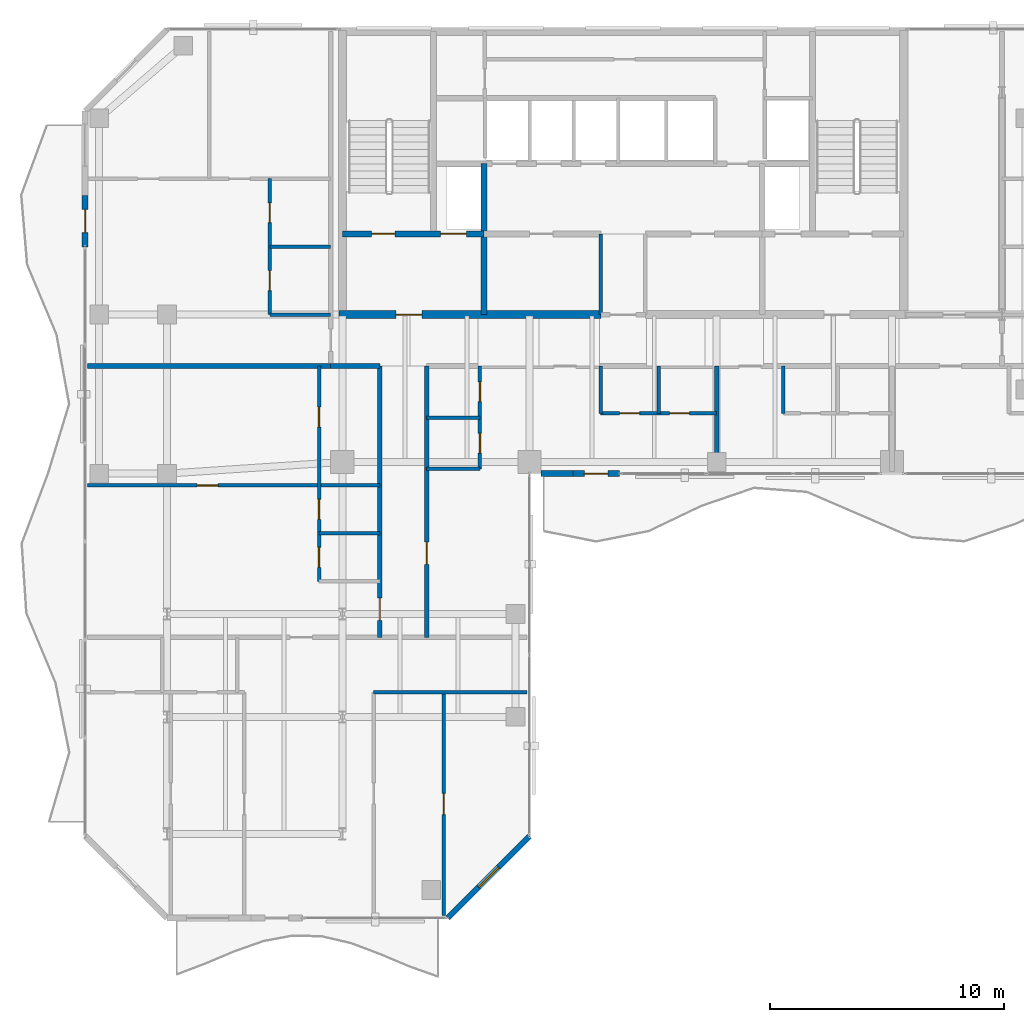
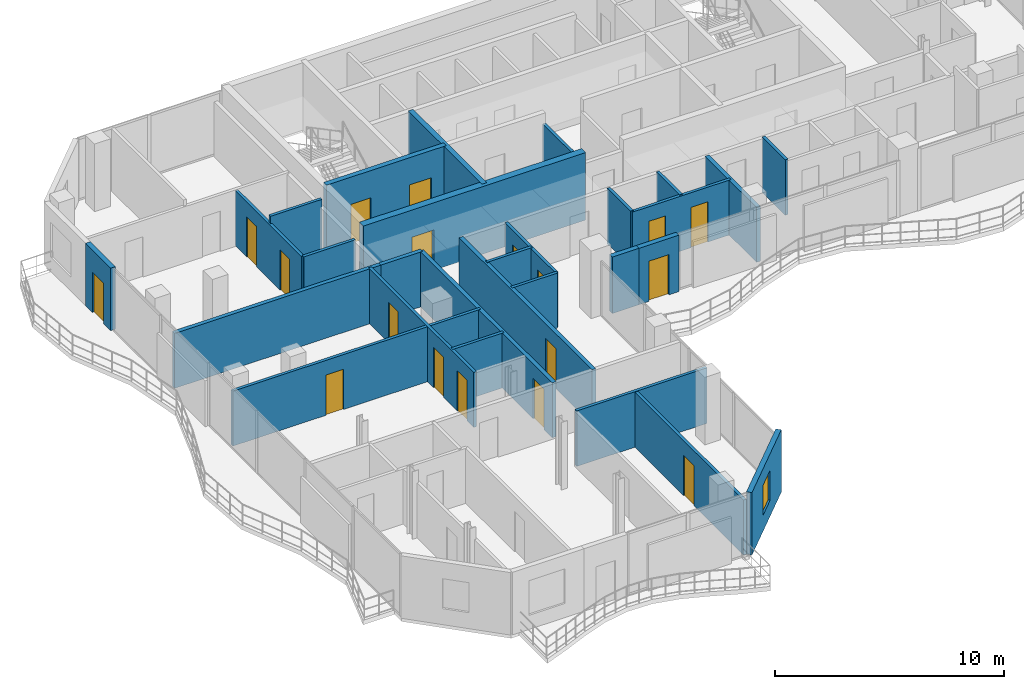
# One storey, part 18 of 24: 28 walls, 18 doors, 1 window, 19 openings.
"""IFC4 building model written with IfcOpenShell, lengths in metres."""

from ifc_helpers import new_model, si_unit, direction, frame, frame_2d, origin, place, context, subcontext, project, spatial, rectangle, extrude, material, layer, layer_set, type_object, element, fill, save


model = new_model("IFC4")

# Units and contexts
model_context = context("Model", 3, precision=1e-05, world=origin(), true_north=direction((0.0, 1.0)))
body_context = subcontext(model_context, "Body", "Model", "MODEL_VIEW")
ifc_project = project(units=[si_unit("LENGTHUNIT", "METRE"), si_unit("AREAUNIT", "SQUARE_METRE"), si_unit("VOLUMEUNIT", "CUBIC_METRE"), si_unit("PLANEANGLEUNIT", "RADIAN"), si_unit("MASSUNIT", "GRAM", prefix="KILO")], contexts=[model_context])

# Site, building, storey
site_placement = place(None, origin())
site = spatial("IfcSite", under=ifc_project, at=site_placement, CompositionType="ELEMENT")
building_placement = place(site_placement, origin())
building = spatial("IfcBuilding", under=site, at=building_placement, Name="Catumbela Crestline Tower", CompositionType="ELEMENT")
storey_placement = place(building_placement, frame((0.0, 0.0, 157.8)))
storey = spatial("IfcBuildingStorey", under=building, at=storey_placement, Name="L40", CompositionType="ELEMENT", Elevation=157.8)

# Wall
ifc_material_1 = material(Name="Concrete C50/60", Category="concrete")
ifc_layer_1 = layer(ifc_material_1, 0.25, Name="Concrete C50/60")
ifc_layer_set_1 = layer_set([ifc_layer_1], Name="Concrete C50/60")
wall_type_1 = type_object("IfcWallType", Name="CW-250D", PredefinedType="SHEAR", material=ifc_layer_set_1)
wall_1_placement = place(storey_placement, frame((22.05, 30.8, 0.0), z_axis=(0.0, 0.0, 1.0), x_axis=(0.0, 1.0, 0.0)))
element("IfcWall", 1, at=wall_1_placement, inside=storey, type_object=wall_type_1, Name="L40 Structural Core Shear Wall FFW", PredefinedType="SHEAR", context=body_context, shape_type="SweptSolid", body=[
    extrude(rectangle(XDim=6.45, YDim=0.25, at=frame_2d((3.225, 0.0))), origin(), (0.0, 0.0, 1.0), 3.6),
])

# Wall, openings, doors
wall_2_placement = place(storey_placement, frame((16.0, 34.25, 0.0), z_axis=(0.0, 0.0, 1.0), x_axis=(1.0, 0.0, 0.0)))
wall_2 = element("IfcWall", 2, at=wall_2_placement, inside=storey, type_object=wall_type_1, Name="L40 Structural Core Shear Wall ST1S", PredefinedType="SHEAR", context=body_context, shape_type="SweptSolid", body=[
    extrude(rectangle(XDim=6.05, YDim=0.25, at=frame_2d((3.025, 0.0))), origin(), (0.0, 0.0, 1.0), 3.6),
])
opening_1_placement = place(wall_2_placement, frame((1.25, 0.0, 0.0)))
opening_1 = element("IfcOpeningElement", 3, at=opening_1_placement, cuts=wall_2, Name="Opening DF9-100", PredefinedType="OPENING", context=body_context, shape_type="SweptSolid", body=[
    extrude(rectangle(XDim=1.0, YDim=2.15, at=frame_2d((0.5, 1.075))), frame((0.0, 0.135, 0.0), z_axis=(0.0, -1.0, 0.0), x_axis=(1.0, 0.0, 0.0)), (0.0, 0.0, 1.0), 0.27),
])
opening_2_placement = place(wall_2_placement, frame((4.2, 0.0, 0.0)))
opening_2 = element("IfcOpeningElement", 4, at=opening_2_placement, cuts=wall_2, Name="Opening LD-110", PredefinedType="OPENING", context=body_context, shape_type="SweptSolid", body=[
    extrude(rectangle(XDim=1.1, YDim=2.15, at=frame_2d((0.55, 1.075))), frame((0.0, 0.135, 0.0), z_axis=(0.0, -1.0, 0.0), x_axis=(1.0, 0.0, 0.0)), (0.0, 0.0, 1.0), 0.27),
])
ifc_material_2 = material(Name="Stainless steel EN 1.4401", Category="steel")
door_type_1 = type_object("IfcDoorType", Name="DF9-100", OperationType="NOTDEFINED", PredefinedType="DOOR", material=ifc_material_2)
door_1_placement = place(opening_1_placement, origin())
door_1 = element("IfcDoor", 5, at=door_1_placement, inside=storey, type_object=door_type_1, Name="L40 Interior Door DR-L40-ST01", OperationType="SINGLE_SWING_LEFT", OverallHeight=2.15, OverallWidth=1.0, PredefinedType="DOOR", context=body_context, shape_type="SweptSolid", body=[
    extrude(rectangle(XDim=1.0, YDim=2.15, at=frame_2d((0.5, 1.075))), frame((0.0, 0.025, 0.0), z_axis=(0.0, -1.0, 0.0), x_axis=(1.0, 0.0, 0.0)), (0.0, 0.0, 1.0), 0.05),
])
fill(opening_1, door_1)
door_type_2 = type_object("IfcDoorType", Name="LD-110", OperationType="NOTDEFINED", PredefinedType="DOOR", material=ifc_material_2)
door_2_placement = place(opening_2_placement, origin())
door_2 = element("IfcDoor", 6, at=door_2_placement, inside=storey, type_object=door_type_2, Name="L40 Lift Landing Sliding Door FL-01", OperationType="DOUBLE_DOOR_SLIDING", OverallHeight=2.15, OverallWidth=1.1, PredefinedType="DOOR", context=body_context, shape_type="SweptSolid", body=[
    extrude(rectangle(XDim=1.1, YDim=2.15, at=frame_2d((0.55, 1.075))), frame((0.0, 0.025, 0.0), z_axis=(0.0, -1.0, 0.0), x_axis=(1.0, 0.0, 0.0)), (0.0, 0.0, 1.0), 0.05),
])
fill(opening_2, door_2)

# Wall, opening, door
ifc_layer_2 = layer(ifc_material_1, 0.35, Name="Concrete C50/60")
ifc_layer_set_2 = layer_set([ifc_layer_2], Name="Concrete C50/60")
wall_type_2 = type_object("IfcWallType", Name="CW-350B", PredefinedType="SHEAR", material=ifc_layer_set_2)
wall_3_placement = place(storey_placement, frame((15.85, 30.8, 0.0), z_axis=(0.0, 0.0, 1.0), x_axis=(1.0, 0.0, 0.0)))
wall_3 = element("IfcWall", 7, at=wall_3_placement, inside=storey, type_object=wall_type_2, Name="L40 Structural Core Shear Wall SW", PredefinedType="SHEAR", context=body_context, shape_type="SweptSolid", body=[
    extrude(rectangle(XDim=11.2, YDim=0.35, at=frame_2d((5.6, 0.0))), origin(), (0.0, 0.0, 1.0), 3.6),
])
opening_3_placement = place(wall_3_placement, frame((2.45, 0.0, 0.0)))
opening_3 = element("IfcOpeningElement", 8, at=opening_3_placement, cuts=wall_3, Name="Opening DF9-110", PredefinedType="OPENING", context=body_context, shape_type="SweptSolid", body=[
    extrude(rectangle(XDim=1.1, YDim=2.15, at=frame_2d((0.55, 1.075))), frame((0.0, 0.185, 0.0), z_axis=(0.0, -1.0, 0.0), x_axis=(1.0, 0.0, 0.0)), (0.0, 0.0, 1.0), 0.37),
])
door_type_3 = type_object("IfcDoorType", Name="DF9-110", OperationType="NOTDEFINED", PredefinedType="DOOR", material=ifc_material_2)
door_3_placement = place(opening_3_placement, origin())
door_3 = element("IfcDoor", 9, at=door_3_placement, inside=storey, type_object=door_type_3, Name="L40 Interior Door DR-L40-FFW-S", OperationType="SINGLE_SWING_LEFT", OverallHeight=2.15, OverallWidth=1.1, PredefinedType="DOOR", context=body_context, shape_type="SweptSolid", body=[
    extrude(rectangle(XDim=1.1, YDim=2.15, at=frame_2d((0.55, 1.075))), frame((0.0, 0.025, 0.0), z_axis=(0.0, -1.0, 0.0), x_axis=(1.0, 0.0, 0.0)), (0.0, 0.0, 1.0), 0.05),
])
fill(opening_3, door_3)

# Wall
ifc_material_3 = material(Name="Acoustic gypsum and mineral-wool partition")
ifc_layer_3 = layer(ifc_material_3, 0.2, Name="Acoustic gypsum and mineral-wool partition")
ifc_layer_set_3 = layer_set([ifc_layer_3], Name="Acoustic gypsum and mineral-wool partition")
wall_type_3 = type_object("IfcWallType", Name="WC-200", PredefinedType="PARTITIONING", material=ifc_layer_set_3)
wall_4_placement = place(storey_placement, frame((15.5, 28.6, 0.0), z_axis=(0.0, 0.0, 1.0), x_axis=(1.0, 0.0, 0.0)))
element("IfcWall", 10, at=wall_4_placement, inside=storey, type_object=wall_type_3, Name="L40 Interior Partition PW-L40-RCWL", PredefinedType="PARTITIONING", context=body_context, shape_type="SweptSolid", body=[
    extrude(rectangle(XDim=2.1, YDim=0.2, at=frame_2d((1.05, 0.0))), origin(), (0.0, 0.0, 1.0), 2.93),
])

# Wall, opening, door
wall_5_placement = place(storey_placement, frame((17.6, 17.0, 0.0), z_axis=(0.0, 0.0, 1.0), x_axis=(0.0, 1.0, 0.0)))
wall_5 = element("IfcWall", 11, at=wall_5_placement, inside=storey, type_object=wall_type_3, Name="L40 Interior Partition PW-L40-WL1-ENT", PredefinedType="PARTITIONING", context=body_context, shape_type="SweptSolid", body=[
    extrude(rectangle(XDim=11.6, YDim=0.2, at=frame_2d((5.8, 0.0))), origin(), (0.0, 0.0, 1.0), 2.93),
])
opening_4_placement = place(wall_5_placement, frame((0.723, 0.0, 0.0)))
opening_4 = element("IfcOpeningElement", 12, at=opening_4_placement, cuts=wall_5, Name="Opening DF6-095", PredefinedType="OPENING", context=body_context, shape_type="SweptSolid", body=[
    extrude(rectangle(XDim=0.95, YDim=2.15, at=frame_2d((0.475, 1.075))), frame((0.0, 0.11, 0.0), z_axis=(0.0, -1.0, 0.0), x_axis=(1.0, 0.0, 0.0)), (0.0, 0.0, 1.0), 0.22),
])
ifc_material_4 = material(Name="Aluminium alloy AW-6060-T66", Category="aluminium")
door_type_4 = type_object("IfcDoorType", Name="DF6-095", OperationType="NOTDEFINED", PredefinedType="DOOR", material=ifc_material_4)
door_4_placement = place(opening_4_placement, origin())
door_4 = element("IfcDoor", 13, at=door_4_placement, inside=storey, type_object=door_type_4, Name="L40 Interior Door DR-L40-WL1-ENT", OperationType="SINGLE_SWING_RIGHT", OverallHeight=2.15, OverallWidth=0.95, PredefinedType="DOOR", context=body_context, shape_type="SweptSolid", body=[
    extrude(rectangle(XDim=0.95, YDim=2.15, at=frame_2d((0.475, 1.075))), frame((0.0, 0.025, 0.0), z_axis=(0.0, -1.0, 0.0), x_axis=(1.0, 0.0, 0.0)), (0.0, 0.0, 1.0), 0.05),
])
fill(opening_4, door_4)

wall_6_placement = place(storey_placement, frame((19.6, 17.0, 0.0), z_axis=(0.0, 0.0, 1.0), x_axis=(0.0, 1.0, 0.0)))
wall_6 = element("IfcWall", 14, at=wall_6_placement, inside=storey, type_object=wall_type_3, Name="L40 Interior Partition PW-L40-WR1-ENT", PredefinedType="PARTITIONING", context=body_context, shape_type="SweptSolid", body=[
    extrude(rectangle(XDim=11.6, YDim=0.2, at=frame_2d((5.8, 0.0))), origin(), (0.0, 0.0, 1.0), 2.93),
])
opening_5_placement = place(wall_6_placement, frame((3.125, 0.0, 0.0)))
opening_5 = element("IfcOpeningElement", 15, at=opening_5_placement, cuts=wall_6, Name="Opening DF6-095", PredefinedType="OPENING", context=body_context, shape_type="SweptSolid", body=[
    extrude(rectangle(XDim=0.95, YDim=2.15, at=frame_2d((0.475, 1.075))), frame((0.0, 0.11, 0.0), z_axis=(0.0, -1.0, 0.0), x_axis=(1.0, 0.0, 0.0)), (0.0, 0.0, 1.0), 0.22),
])
door_5_placement = place(opening_5_placement, origin())
door_5 = element("IfcDoor", 16, at=door_5_placement, inside=storey, type_object=door_type_4, Name="L40 Interior Door DR-L40-WR1-ENT", OperationType="SINGLE_SWING_LEFT", OverallHeight=2.15, OverallWidth=0.95, PredefinedType="DOOR", context=body_context, shape_type="SweptSolid", body=[
    extrude(rectangle(XDim=0.95, YDim=2.15, at=frame_2d((0.475, 1.075))), frame((0.0, 0.025, 0.0), z_axis=(0.0, -1.0, 0.0), x_axis=(1.0, 0.0, 0.0)), (0.0, 0.0, 1.0), 0.05),
])
fill(opening_5, door_5)

# Wall, opening, window
ifc_material_5 = material(Name="Angolan grey-ochre granite", Category="masonry")
ifc_layer_4 = layer(ifc_material_5, 0.25, Name="Angolan grey-ochre granite")
ifc_layer_set_4 = layer_set([ifc_layer_4], Name="Angolan grey-ochre granite")
wall_type_4 = type_object("IfcWallType", Name="WE-250", PredefinedType="STANDARD", material=ifc_layer_set_4)
wall_7_placement = place(storey_placement, frame((20.5, 5.0, 0.0), z_axis=(0.0, 0.0, 1.0), x_axis=(0.707106781187, 0.707106781187, 0.0)))
wall_7 = element("IfcWall", 17, at=wall_7_placement, inside=storey, type_object=wall_type_4, Name="L40 Granite Punched Window Wall 1-1", PredefinedType="STANDARD", context=body_context, shape_type="SweptSolid", body=[
    extrude(rectangle(XDim=4.9497, YDim=0.25, at=frame_2d((2.4748, 0.0))), origin(), (0.0, 0.0, 1.0), 3.33),
])
opening_6_placement = place(wall_7_placement, frame((1.8748, 0.0, 0.85)))
opening_6 = element("IfcOpeningElement", 18, at=opening_6_placement, cuts=wall_7, Name="Opening WN-02", PredefinedType="OPENING", context=body_context, shape_type="SweptSolid", body=[
    extrude(rectangle(XDim=1.2, YDim=1.6, at=frame_2d((0.6, 0.8))), frame((0.0, 0.135, 0.0), z_axis=(0.0, -1.0, 0.0), x_axis=(1.0, 0.0, 0.0)), (0.0, 0.0, 1.0), 0.27),
])
ifc_material_6 = material(Name="Low-E laminated solar-control double glazing", Category="glass")
window_type = type_object("IfcWindowType", Name="WO-1200", PartitioningType="SINGLE_PANEL", PredefinedType="WINDOW", material=ifc_material_6)
window_placement = place(opening_6_placement, origin())
window = element("IfcWindow", 19, at=window_placement, inside=storey, type_object=window_type, Name="L40 Facade Vision Window 226", OverallHeight=1.6, OverallWidth=1.2, PartitioningType="SINGLE_PANEL", PredefinedType="WINDOW", context=body_context, shape_type="SweptSolid", body=[
    extrude(rectangle(XDim=1.2, YDim=1.6, at=frame_2d((0.6, 0.8))), frame((0.0, 0.03, 0.0), z_axis=(0.0, -1.0, 0.0), x_axis=(1.0, 0.0, 0.0)), (0.0, 0.0, 1.0), 0.06),
])
fill(opening_6, window)

# Wall, opening, door
wall_8_placement = place(storey_placement, frame((25.85, 24.0, 0.0), z_axis=(0.0, 0.0, 1.0), x_axis=(1.0, 0.0, 0.0)))
wall_8 = element("IfcWall", 20, at=wall_8_placement, inside=storey, type_object=wall_type_4, Name="L40 Exterior Threshold Portal Wall DR-L40-WBAL-1", PredefinedType="STANDARD", context=body_context, shape_type="SweptSolid", body=[
    extrude(rectangle(XDim=2.0, YDim=0.25, at=frame_2d((1.0, 0.0))), origin(), (0.0, 0.0, 1.0), 3.01),
])
opening_7_placement = place(wall_8_placement, frame((0.5, 0.0, 0.0)))
opening_7 = element("IfcOpeningElement", 21, at=opening_7_placement, cuts=wall_8, Name="Opening DB-L40-1", PredefinedType="OPENING", context=body_context, shape_type="SweptSolid", body=[
    extrude(rectangle(XDim=1.0, YDim=2.15, at=frame_2d((0.5, 1.075))), frame((0.0, 0.135, 0.0), z_axis=(0.0, -1.0, 0.0), x_axis=(1.0, 0.0, 0.0)), (0.0, 0.0, 1.0), 0.27),
])
door_type_5 = type_object("IfcDoorType", Name="DB-1000", OperationType="NOTDEFINED", PredefinedType="DOOR", material=ifc_material_4)
door_6_placement = place(opening_7_placement, origin())
door_6 = element("IfcDoor", 22, at=door_6_placement, inside=storey, type_object=door_type_5, Name="L40 Wave Balcony Terrace Door 1", OperationType="SINGLE_SWING_RIGHT", OverallHeight=2.15, OverallWidth=1.0, PredefinedType="DOOR", context=body_context, shape_type="SweptSolid", body=[
    extrude(rectangle(XDim=1.0, YDim=2.15, at=frame_2d((0.5, 1.075))), frame((0.0, 0.025, 0.0), z_axis=(0.0, -1.0, 0.0), x_axis=(1.0, 0.0, 0.0)), (0.0, 0.0, 1.0), 0.05),
])
fill(opening_7, door_6)

# Wall
wall_9_placement = place(storey_placement, frame((24.5, 24.0, 0.0), z_axis=(0.0, 0.0, 1.0), x_axis=(1.0, 0.0, 0.0)))
element("IfcWall", 23, at=wall_9_placement, inside=storey, type_object=wall_type_4, Name="L40 Granite Punched Window Wall 3-1", PredefinedType="STANDARD", context=body_context, shape_type="SweptSolid", body=[
    extrude(rectangle(XDim=1.35, YDim=0.25, at=frame_2d((0.675, 0.0))), origin(), (0.0, 0.0, 1.0), 3.01),
])

# Wall, opening, door
wall_10_placement = place(storey_placement, frame((5.0, 35.9, 0.0), z_axis=(0.0, 0.0, 1.0), x_axis=(0.0, -1.0, 0.0)))
wall_10 = element("IfcWall", 24, at=wall_10_placement, inside=storey, type_object=wall_type_4, Name="L40 Exterior Threshold Portal Wall DR-L40-WBAL-4", PredefinedType="STANDARD", context=body_context, shape_type="SweptSolid", body=[
    extrude(rectangle(XDim=2.2, YDim=0.25, at=frame_2d((1.1, 0.0))), origin(), (0.0, 0.0, 1.0), 3.33),
])
opening_8_placement = place(wall_10_placement, frame((0.6, 0.0, 0.0)))
opening_8 = element("IfcOpeningElement", 25, at=opening_8_placement, cuts=wall_10, Name="Opening DB-L40-4", PredefinedType="OPENING", context=body_context, shape_type="SweptSolid", body=[
    extrude(rectangle(XDim=1.0, YDim=2.15, at=frame_2d((0.5, 1.075))), frame((0.0, 0.135, 0.0), z_axis=(0.0, -1.0, 0.0), x_axis=(1.0, 0.0, 0.0)), (0.0, 0.0, 1.0), 0.27),
])
door_7_placement = place(opening_8_placement, origin())
door_7 = element("IfcDoor", 26, at=door_7_placement, inside=storey, type_object=door_type_5, Name="L40 Wave Balcony Terrace Door 4", OperationType="SINGLE_SWING_LEFT", OverallHeight=2.15, OverallWidth=1.0, PredefinedType="DOOR", context=body_context, shape_type="SweptSolid", body=[
    extrude(rectangle(XDim=1.0, YDim=2.15, at=frame_2d((0.5, 1.075))), frame((0.0, 0.025, 0.0), z_axis=(0.0, -1.0, 0.0), x_axis=(1.0, 0.0, 0.0)), (0.0, 0.0, 1.0), 0.05),
])
fill(opening_8, door_7)

# Walls
ifc_layer_5 = layer(ifc_material_3, 0.15, Name="Acoustic gypsum and mineral-wool partition")
ifc_layer_set_5 = layer_set([ifc_layer_5], Name="Acoustic gypsum and mineral-wool partition")
wall_type_5 = type_object("IfcWallType", Name="WP-150", PredefinedType="PARTITIONING", material=ifc_layer_set_5)
wall_11_placement = place(storey_placement, frame((12.9, 30.8, 0.0), z_axis=(0.0, 0.0, 1.0), x_axis=(1.0, 0.0, 0.0)))
element("IfcWall", 27, at=wall_11_placement, inside=storey, type_object=wall_type_5, Name="L40 Interior Partition PW-L40-NW1-KBS", PredefinedType="PARTITIONING", context=body_context, shape_type="SweptSolid", body=[
    extrude(rectangle(XDim=2.6, YDim=0.15, at=frame_2d((1.3, 0.0))), origin(), (0.0, 0.0, 1.0), 2.93),
])
wall_12_placement = place(storey_placement, frame((12.9, 33.704, 0.0), z_axis=(0.0, 0.0, 1.0), x_axis=(1.0, 0.0, 0.0)))
element("IfcWall", 28, at=wall_12_placement, inside=storey, type_object=wall_type_5, Name="L40 Interior Partition PW-L40-NW1-KBM", PredefinedType="PARTITIONING", context=body_context, shape_type="SweptSolid", body=[
    extrude(rectangle(XDim=2.6, YDim=0.15, at=frame_2d((1.3, 0.0))), origin(), (0.0, 0.0, 1.0), 3.33),
])

# Wall, openings, doors
wall_13_placement = place(storey_placement, frame((12.9, 30.8, 0.0), z_axis=(0.0, 0.0, 1.0), x_axis=(0.0, 1.0, 0.0)))
wall_13 = element("IfcWall", 29, at=wall_13_placement, inside=storey, type_object=wall_type_5, Name="L40 Interior Partition PW-L40-NW1-LK", PredefinedType="PARTITIONING", context=body_context, shape_type="SweptSolid", body=[
    extrude(rectangle(XDim=5.808, YDim=0.15, at=frame_2d((2.904, 0.0))), origin(), (0.0, 0.0, 1.0), 2.93),
])
opening_9_placement = place(wall_13_placement, frame((1.027, 0.0, 0.0)))
opening_9 = element("IfcOpeningElement", 30, at=opening_9_placement, cuts=wall_13, Name="Opening DI-085", PredefinedType="OPENING", context=body_context, shape_type="SweptSolid", body=[
    extrude(rectangle(XDim=0.85, YDim=2.15, at=frame_2d((0.425, 1.075))), frame((0.0, 0.085, 0.0), z_axis=(0.0, -1.0, 0.0), x_axis=(1.0, 0.0, 0.0)), (0.0, 0.0, 1.0), 0.17),
])
opening_10_placement = place(wall_13_placement, frame((3.931, 0.0, 0.0)))
opening_10 = element("IfcOpeningElement", 31, at=opening_10_placement, cuts=wall_13, Name="Opening DI-085", PredefinedType="OPENING", context=body_context, shape_type="SweptSolid", body=[
    extrude(rectangle(XDim=0.85, YDim=2.15, at=frame_2d((0.425, 1.075))), frame((0.0, 0.085, 0.0), z_axis=(0.0, -1.0, 0.0), x_axis=(1.0, 0.0, 0.0)), (0.0, 0.0, 1.0), 0.17),
])
door_type_6 = type_object("IfcDoorType", Name="DI-085", OperationType="NOTDEFINED", PredefinedType="DOOR", material=ifc_material_4)
door_8_placement = place(opening_9_placement, origin())
door_8 = element("IfcDoor", 32, at=door_8_placement, inside=storey, type_object=door_type_6, Name="L40 Interior Door DR-L40-NW1-KIT", OperationType="SINGLE_SWING_LEFT", OverallHeight=2.15, OverallWidth=0.85, PredefinedType="DOOR", context=body_context, shape_type="SweptSolid", body=[
    extrude(rectangle(XDim=0.85, YDim=2.15, at=frame_2d((0.425, 1.075))), frame((0.0, 0.025, 0.0), z_axis=(0.0, -1.0, 0.0), x_axis=(1.0, 0.0, 0.0)), (0.0, 0.0, 1.0), 0.05),
])
fill(opening_9, door_8)
door_9_placement = place(opening_10_placement, origin())
door_9 = element("IfcDoor", 33, at=door_9_placement, inside=storey, type_object=door_type_6, Name="L40 Interior Door DR-L40-NW1-BTH", OperationType="SINGLE_SWING_RIGHT", OverallHeight=2.15, OverallWidth=0.85, PredefinedType="DOOR", context=body_context, shape_type="SweptSolid", body=[
    extrude(rectangle(XDim=0.85, YDim=2.15, at=frame_2d((0.425, 1.075))), frame((0.0, 0.025, 0.0), z_axis=(0.0, -1.0, 0.0), x_axis=(1.0, 0.0, 0.0)), (0.0, 0.0, 1.0), 0.05),
])
fill(opening_10, door_9)

# Walls
for number, where, z_axis, x_axis, name in (
    (34, (27.04, 26.576, 0.0), (0.0, 0.0, 1.0), (0.0, 1.0, 0.0), "L40 Interior Partition PW-L40-S1-KBW"),
    (35, (29.52, 26.576, 0.0), (0.0, 0.0, 1.0), (0.0, 1.0, 0.0), "L40 Interior Partition PW-L40-S1-KBM"),
):
    element("IfcWall", number, at=place(storey_placement, frame(where, z_axis=z_axis, x_axis=x_axis)), inside=storey, type_object=wall_type_5, Name=name, PredefinedType="PARTITIONING", context=body_context, shape_type="SweptSolid", body=[
        extrude(rectangle(XDim=2.024, YDim=0.15, at=frame_2d((1.012, 0.0))), origin(), (0.0, 0.0, 1.0), 2.96),
    ])

# Wall, openings, doors
wall_14_placement = place(storey_placement, frame((27.04, 26.576, 0.0), z_axis=(0.0, 0.0, 1.0), x_axis=(1.0, 0.0, 0.0)))
wall_14 = element("IfcWall", 36, at=wall_14_placement, inside=storey, type_object=wall_type_5, Name="L40 Interior Partition PW-L40-S1-KBD1", PredefinedType="PARTITIONING", context=body_context, shape_type="SweptSolid", body=[
    extrude(rectangle(XDim=4.96, YDim=0.15, at=frame_2d((2.48, 0.0))), origin(), (0.0, 0.0, 1.0), 2.93),
])
opening_11_placement = place(wall_14_placement, frame((0.815, 0.0, 0.0)))
opening_11 = element("IfcOpeningElement", 37, at=opening_11_placement, cuts=wall_14, Name="Opening DI-085", PredefinedType="OPENING", context=body_context, shape_type="SweptSolid", body=[
    extrude(rectangle(XDim=0.85, YDim=2.15, at=frame_2d((0.425, 1.075))), frame((0.0, 0.085, 0.0), z_axis=(0.0, -1.0, 0.0), x_axis=(1.0, 0.0, 0.0)), (0.0, 0.0, 1.0), 0.17),
])
opening_12_placement = place(wall_14_placement, frame((2.9475, 0.0, 0.0)))
opening_12 = element("IfcOpeningElement", 38, at=opening_12_placement, cuts=wall_14, Name="Opening DI-085", PredefinedType="OPENING", context=body_context, shape_type="SweptSolid", body=[
    extrude(rectangle(XDim=0.85, YDim=2.15, at=frame_2d((0.425, 1.075))), frame((0.0, 0.085, 0.0), z_axis=(0.0, -1.0, 0.0), x_axis=(1.0, 0.0, 0.0)), (0.0, 0.0, 1.0), 0.17),
])
door_10_placement = place(opening_11_placement, origin())
door_10 = element("IfcDoor", 39, at=door_10_placement, inside=storey, type_object=door_type_6, Name="L40 Interior Door DR-L40-S1-BTH", OperationType="SINGLE_SWING_LEFT", OverallHeight=2.15, OverallWidth=0.85, PredefinedType="DOOR", context=body_context, shape_type="SweptSolid", body=[
    extrude(rectangle(XDim=0.85, YDim=2.15, at=frame_2d((0.425, 1.075))), frame((0.0, 0.025, 0.0), z_axis=(0.0, -1.0, 0.0), x_axis=(1.0, 0.0, 0.0)), (0.0, 0.0, 1.0), 0.05),
])
fill(opening_11, door_10)
door_11_placement = place(opening_12_placement, origin())
door_11 = element("IfcDoor", 40, at=door_11_placement, inside=storey, type_object=door_type_6, Name="L40 Interior Door DR-L40-S1-KIT", OperationType="SINGLE_SWING_RIGHT", OverallHeight=2.15, OverallWidth=0.85, PredefinedType="DOOR", context=body_context, shape_type="SweptSolid", body=[
    extrude(rectangle(XDim=0.85, YDim=2.15, at=frame_2d((0.425, 1.075))), frame((0.0, 0.025, 0.0), z_axis=(0.0, -1.0, 0.0), x_axis=(1.0, 0.0, 0.0)), (0.0, 0.0, 1.0), 0.05),
])
fill(opening_12, door_11)

# Walls
wall_15_placement = place(storey_placement, frame((34.85, 26.576, 0.0), z_axis=(0.0, 0.0, 1.0), x_axis=(0.0, 1.0, 0.0)))
element("IfcWall", 41, at=wall_15_placement, inside=storey, type_object=wall_type_5, Name="L40 Interior Partition PW-L40-S2-KBW", PredefinedType="PARTITIONING", context=body_context, shape_type="SweptSolid", body=[
    extrude(rectangle(XDim=2.024, YDim=0.15, at=frame_2d((1.012, 0.0))), origin(), (0.0, 0.0, 1.0), 2.96),
])
wall_16_placement = place(storey_placement, frame((15.0, 21.446, 0.0), z_axis=(0.0, 0.0, 1.0), x_axis=(1.0, 0.0, 0.0)))
element("IfcWall", 42, at=wall_16_placement, inside=storey, type_object=wall_type_5, Name="L40 Interior Partition PW-L40-WL1-KBM", PredefinedType="PARTITIONING", context=body_context, shape_type="SweptSolid", body=[
    extrude(rectangle(XDim=2.6, YDim=0.15, at=frame_2d((1.3, 0.0))), origin(), (0.0, 0.0, 1.0), 2.93),
])

# Wall, opening, door
wall_17_placement = place(storey_placement, frame((5.1, 23.496, 0.0), z_axis=(0.0, 0.0, 1.0), x_axis=(1.0, 0.0, 0.0)))
wall_17 = element("IfcWall", 43, at=wall_17_placement, inside=storey, type_object=wall_type_5, Name="L40 Interior Partition PW-L40-WL1-KBN", PredefinedType="PARTITIONING", context=body_context, shape_type="SweptSolid", body=[
    extrude(rectangle(XDim=12.5, YDim=0.15, at=frame_2d((6.25, 0.0))), origin(), (0.0, 0.0, 1.0), 2.93),
])
opening_13_placement = place(wall_17_placement, frame((4.6918, 0.0, 0.0)))
opening_13 = element("IfcOpeningElement", 44, at=opening_13_placement, cuts=wall_17, Name="Opening DI-090", PredefinedType="OPENING", context=body_context, shape_type="SweptSolid", body=[
    extrude(rectangle(XDim=0.9, YDim=2.15, at=frame_2d((0.45, 1.075))), frame((0.0, 0.085, 0.0), z_axis=(0.0, -1.0, 0.0), x_axis=(1.0, 0.0, 0.0)), (0.0, 0.0, 1.0), 0.17),
])
door_type_7 = type_object("IfcDoorType", Name="DI-090", OperationType="NOTDEFINED", PredefinedType="DOOR", material=ifc_material_4)
door_12_placement = place(opening_13_placement, origin())
door_12 = element("IfcDoor", 45, at=door_12_placement, inside=storey, type_object=door_type_7, Name="L40 Interior Door DR-L40-WL1-BD1", OperationType="SINGLE_SWING_RIGHT", OverallHeight=2.15, OverallWidth=0.9, PredefinedType="DOOR", context=body_context, shape_type="SweptSolid", body=[
    extrude(rectangle(XDim=0.9, YDim=2.15, at=frame_2d((0.45, 1.075))), frame((0.0, 0.025, 0.0), z_axis=(0.0, -1.0, 0.0), x_axis=(1.0, 0.0, 0.0)), (0.0, 0.0, 1.0), 0.05),
])
fill(opening_13, door_12)

# Wall, openings, doors
wall_18_placement = place(storey_placement, frame((15.0, 19.396, 0.0), z_axis=(0.0, 0.0, 1.0), x_axis=(0.0, 1.0, 0.0)))
wall_18 = element("IfcWall", 46, at=wall_18_placement, inside=storey, type_object=wall_type_5, Name="L40 Interior Partition PW-L40-WL1-LK", PredefinedType="PARTITIONING", context=body_context, shape_type="SweptSolid", body=[
    extrude(rectangle(XDim=9.204, YDim=0.15, at=frame_2d((4.602, 0.0))), origin(), (0.0, 0.0, 1.0), 2.93),
])
opening_14_placement = place(wall_18_placement, frame((0.6, 0.0, 0.0)))
opening_14 = element("IfcOpeningElement", 47, at=opening_14_placement, cuts=wall_18, Name="Opening DI-085", PredefinedType="OPENING", context=body_context, shape_type="SweptSolid", body=[
    extrude(rectangle(XDim=0.85, YDim=2.15, at=frame_2d((0.425, 1.075))), frame((0.0, 0.085, 0.0), z_axis=(0.0, -1.0, 0.0), x_axis=(1.0, 0.0, 0.0)), (0.0, 0.0, 1.0), 0.17),
])
opening_15_placement = place(wall_18_placement, frame((2.65, 0.0, 0.0)))
opening_15 = element("IfcOpeningElement", 48, at=opening_15_placement, cuts=wall_18, Name="Opening DI-085", PredefinedType="OPENING", context=body_context, shape_type="SweptSolid", body=[
    extrude(rectangle(XDim=0.85, YDim=2.15, at=frame_2d((0.425, 1.075))), frame((0.0, 0.085, 0.0), z_axis=(0.0, -1.0, 0.0), x_axis=(1.0, 0.0, 0.0)), (0.0, 0.0, 1.0), 0.17),
])
opening_16_placement = place(wall_18_placement, frame((6.5927, 0.0, 0.0)))
opening_16 = element("IfcOpeningElement", 49, at=opening_16_placement, cuts=wall_18, Name="Opening DI-085", PredefinedType="OPENING", context=body_context, shape_type="SweptSolid", body=[
    extrude(rectangle(XDim=0.85, YDim=2.15, at=frame_2d((0.425, 1.075))), frame((0.0, 0.085, 0.0), z_axis=(0.0, -1.0, 0.0), x_axis=(1.0, 0.0, 0.0)), (0.0, 0.0, 1.0), 0.17),
])
door_13_placement = place(opening_14_placement, origin())
door_13 = element("IfcDoor", 50, at=door_13_placement, inside=storey, type_object=door_type_6, Name="L40 Interior Door DR-L40-WL1-KIT", OperationType="SINGLE_SWING_LEFT", OverallHeight=2.15, OverallWidth=0.85, PredefinedType="DOOR", context=body_context, shape_type="SweptSolid", body=[
    extrude(rectangle(XDim=0.85, YDim=2.15, at=frame_2d((0.425, 1.075))), frame((0.0, 0.025, 0.0), z_axis=(0.0, -1.0, 0.0), x_axis=(1.0, 0.0, 0.0)), (0.0, 0.0, 1.0), 0.05),
])
fill(opening_14, door_13)
door_14_placement = place(opening_15_placement, origin())
door_14 = element("IfcDoor", 51, at=door_14_placement, inside=storey, type_object=door_type_6, Name="L40 Interior Door DR-L40-WL1-BTH", OperationType="SINGLE_SWING_RIGHT", OverallHeight=2.15, OverallWidth=0.85, PredefinedType="DOOR", context=body_context, shape_type="SweptSolid", body=[
    extrude(rectangle(XDim=0.85, YDim=2.15, at=frame_2d((0.425, 1.075))), frame((0.0, 0.025, 0.0), z_axis=(0.0, -1.0, 0.0), x_axis=(1.0, 0.0, 0.0)), (0.0, 0.0, 1.0), 0.05),
])
fill(opening_15, door_14)
door_15_placement = place(opening_16_placement, origin())
door_15 = element("IfcDoor", 52, at=door_15_placement, inside=storey, type_object=door_type_6, Name="L40 Interior Door DR-L40-WL1-WIR", OperationType="SINGLE_SWING_LEFT", OverallHeight=2.15, OverallWidth=0.85, PredefinedType="DOOR", context=body_context, shape_type="SweptSolid", body=[
    extrude(rectangle(XDim=0.85, YDim=2.15, at=frame_2d((0.425, 1.075))), frame((0.0, 0.025, 0.0), z_axis=(0.0, -1.0, 0.0), x_axis=(1.0, 0.0, 0.0)), (0.0, 0.0, 1.0), 0.05),
])
fill(opening_16, door_15)

# Walls
wall_19_placement = place(storey_placement, frame((19.6, 24.2, 0.0), z_axis=(0.0, 0.0, 1.0), x_axis=(1.0, 0.0, 0.0)))
element("IfcWall", 53, at=wall_19_placement, inside=storey, type_object=wall_type_5, Name="L40 Interior Partition PW-L40-WR1-KBS", PredefinedType="PARTITIONING", context=body_context, shape_type="SweptSolid", body=[
    extrude(rectangle(XDim=2.28, YDim=0.15, at=frame_2d((1.14, 0.0))), origin(), (0.0, 0.0, 1.0), 2.93),
])
wall_20_placement = place(storey_placement, frame((19.6, 26.4, 0.0), z_axis=(0.0, 0.0, 1.0), x_axis=(1.0, 0.0, 0.0)))
element("IfcWall", 54, at=wall_20_placement, inside=storey, type_object=wall_type_5, Name="L40 Interior Partition PW-L40-WR1-KBM", PredefinedType="PARTITIONING", context=body_context, shape_type="SweptSolid", body=[
    extrude(rectangle(XDim=2.28, YDim=0.15, at=frame_2d((1.14, 0.0))), origin(), (0.0, 0.0, 1.0), 2.96),
])

# Wall, openings, doors
wall_21_placement = place(storey_placement, frame((21.88, 24.2, 0.0), z_axis=(0.0, 0.0, 1.0), x_axis=(0.0, 1.0, 0.0)))
wall_21 = element("IfcWall", 55, at=wall_21_placement, inside=storey, type_object=wall_type_5, Name="L40 Interior Partition PW-L40-WR1-SK1", PredefinedType="PARTITIONING", context=body_context, shape_type="SweptSolid", body=[
    extrude(rectangle(XDim=4.4, YDim=0.15, at=frame_2d((2.2, 0.0))), origin(), (0.0, 0.0, 1.0), 2.93),
])
opening_17_placement = place(wall_21_placement, frame((0.675, 0.0, 0.0)))
opening_17 = element("IfcOpeningElement", 56, at=opening_17_placement, cuts=wall_21, Name="Opening DI-085", PredefinedType="OPENING", context=body_context, shape_type="SweptSolid", body=[
    extrude(rectangle(XDim=0.85, YDim=2.15, at=frame_2d((0.425, 1.075))), frame((0.0, 0.085, 0.0), z_axis=(0.0, -1.0, 0.0), x_axis=(1.0, 0.0, 0.0)), (0.0, 0.0, 1.0), 0.17),
])
opening_18_placement = place(wall_21_placement, frame((2.875, 0.0, 0.0)))
opening_18 = element("IfcOpeningElement", 57, at=opening_18_placement, cuts=wall_21, Name="Opening DI-085", PredefinedType="OPENING", context=body_context, shape_type="SweptSolid", body=[
    extrude(rectangle(XDim=0.85, YDim=2.15, at=frame_2d((0.425, 1.075))), frame((0.0, 0.085, 0.0), z_axis=(0.0, -1.0, 0.0), x_axis=(1.0, 0.0, 0.0)), (0.0, 0.0, 1.0), 0.17),
])
door_16_placement = place(opening_17_placement, origin())
door_16 = element("IfcDoor", 58, at=door_16_placement, inside=storey, type_object=door_type_6, Name="L40 Interior Door DR-L40-WR1-KIT", OperationType="SINGLE_SWING_LEFT", OverallHeight=2.15, OverallWidth=0.85, PredefinedType="DOOR", context=body_context, shape_type="SweptSolid", body=[
    extrude(rectangle(XDim=0.85, YDim=2.15, at=frame_2d((0.425, 1.075))), frame((0.0, 0.025, 0.0), z_axis=(0.0, -1.0, 0.0), x_axis=(1.0, 0.0, 0.0)), (0.0, 0.0, 1.0), 0.05),
])
fill(opening_17, door_16)
door_17_placement = place(opening_18_placement, origin())
door_17 = element("IfcDoor", 59, at=door_17_placement, inside=storey, type_object=door_type_6, Name="L40 Interior Door DR-L40-WR1-BTH", OperationType="SINGLE_SWING_RIGHT", OverallHeight=2.15, OverallWidth=0.85, PredefinedType="DOOR", context=body_context, shape_type="SweptSolid", body=[
    extrude(rectangle(XDim=0.85, YDim=2.15, at=frame_2d((0.425, 1.075))), frame((0.0, 0.025, 0.0), z_axis=(0.0, -1.0, 0.0), x_axis=(1.0, 0.0, 0.0)), (0.0, 0.0, 1.0), 0.05),
])
fill(opening_18, door_17)

# Wall
wall_22_placement = place(storey_placement, frame((17.34, 14.65, 0.0), z_axis=(0.0, 0.0, 1.0), x_axis=(1.0, 0.0, 0.0)))
element("IfcWall", 60, at=wall_22_placement, inside=storey, type_object=wall_type_5, Name="L40 Interior Partition PW-L40-SH1-BDRH", PredefinedType="PARTITIONING", context=body_context, shape_type="SweptSolid", body=[
    extrude(rectangle(XDim=6.56, YDim=0.15, at=frame_2d((3.28, 0.0))), origin(), (0.0, 0.0, 1.0), 2.96),
])

# Wall, opening, door
wall_23_placement = place(storey_placement, frame((20.34, 5.1, 0.0), z_axis=(0.0, 0.0, 1.0), x_axis=(0.0, 1.0, 0.0)))
wall_23 = element("IfcWall", 61, at=wall_23_placement, inside=storey, type_object=wall_type_5, Name="L40 Interior Partition PW-L40-SH1-BDR", PredefinedType="PARTITIONING", context=body_context, shape_type="SweptSolid", body=[
    extrude(rectangle(XDim=9.55, YDim=0.15, at=frame_2d((4.775, 0.0))), origin(), (0.0, 0.0, 1.0), 2.93),
])
opening_19_placement = place(wall_23_placement, frame((4.325, 0.0, 0.0)))
opening_19 = element("IfcOpeningElement", 62, at=opening_19_placement, cuts=wall_23, Name="Opening DI-090", PredefinedType="OPENING", context=body_context, shape_type="SweptSolid", body=[
    extrude(rectangle(XDim=0.9, YDim=2.15, at=frame_2d((0.45, 1.075))), frame((0.0, 0.085, 0.0), z_axis=(0.0, -1.0, 0.0), x_axis=(1.0, 0.0, 0.0)), (0.0, 0.0, 1.0), 0.17),
])
door_18_placement = place(opening_19_placement, origin())
door_18 = element("IfcDoor", 63, at=door_18_placement, inside=storey, type_object=door_type_7, Name="L40 Interior Door DR-L40-SH1-BD2", OperationType="SINGLE_SWING_RIGHT", OverallHeight=2.15, OverallWidth=0.9, PredefinedType="DOOR", context=body_context, shape_type="SweptSolid", body=[
    extrude(rectangle(XDim=0.9, YDim=2.15, at=frame_2d((0.45, 1.075))), frame((0.0, 0.025, 0.0), z_axis=(0.0, -1.0, 0.0), x_axis=(1.0, 0.0, 0.0)), (0.0, 0.0, 1.0), 0.05),
])
fill(opening_19, door_18)

# Walls
ifc_layer_6 = layer(ifc_material_3, 0.2, Name="Acoustic gypsum and mineral-wool partition")
ifc_layer_set_6 = layer_set([ifc_layer_6], Name="Acoustic gypsum and mineral-wool partition")
wall_type_6 = type_object("IfcWallType", Name="WY-200", PredefinedType="PARTITIONING", material=ifc_layer_set_6)
wall_24_placement = place(storey_placement, frame((5.1, 28.6, 0.0), z_axis=(0.0, 0.0, 1.0), x_axis=(1.0, 0.0, 0.0)))
element("IfcWall", 64, at=wall_24_placement, inside=storey, type_object=wall_type_6, Name="L40 Interior Partition PW-L40-RCWNW", PredefinedType="PARTITIONING", context=body_context, shape_type="SweptSolid", body=[
    extrude(rectangle(XDim=10.4, YDim=0.2, at=frame_2d((5.2, 0.0))), origin(), (0.0, 0.0, 1.0), 2.93),
])
wall_25_placement = place(storey_placement, frame((32.0, 24.1, 0.0), z_axis=(0.0, 0.0, 1.0), x_axis=(0.0, 1.0, 0.0)))
element("IfcWall", 65, at=wall_25_placement, inside=storey, type_object=wall_type_6, Name="L40 Interior Partition PW-L40-RSPP-2", PredefinedType="PARTITIONING", context=body_context, shape_type="SweptSolid", body=[
    extrude(rectangle(XDim=4.5, YDim=0.2, at=frame_2d((2.25, 0.0))), origin(), (0.0, 0.0, 1.0), 2.93),
])
ifc_layer_7 = layer(ifc_material_3, 0.15, Name="Acoustic gypsum and mineral-wool partition")
ifc_layer_set_7 = layer_set([ifc_layer_7], Name="Acoustic gypsum and mineral-wool partition")
wall_type_7 = type_object("IfcWallType", Name="WS-150", PredefinedType="PLUMBINGWALL", material=ifc_layer_set_7)
wall_26_placement = place(storey_placement, frame((27.05, 30.8, 0.0), z_axis=(0.0, 0.0, 1.0), x_axis=(0.0, 1.0, 0.0)))
element("IfcWall", 66, at=wall_26_placement, inside=storey, type_object=wall_type_7, Name="L40 Interior Partition PW-L40-THRW", PredefinedType="PLUMBINGWALL", context=body_context, shape_type="SweptSolid", body=[
    extrude(rectangle(XDim=3.45, YDim=0.15, at=frame_2d((1.725, 0.0))), origin(), (0.0, 0.0, 1.0), 2.96),
])

save(model, "model.ifc")
